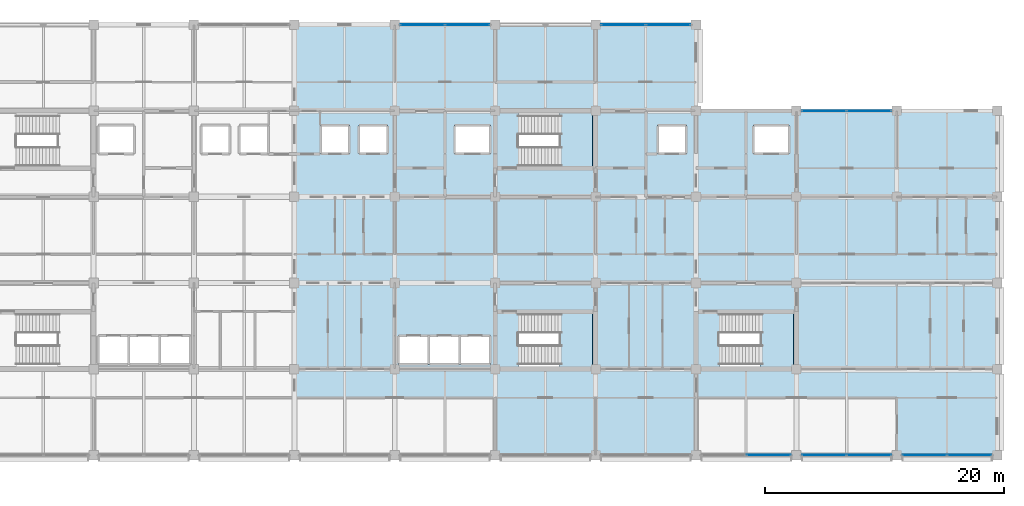
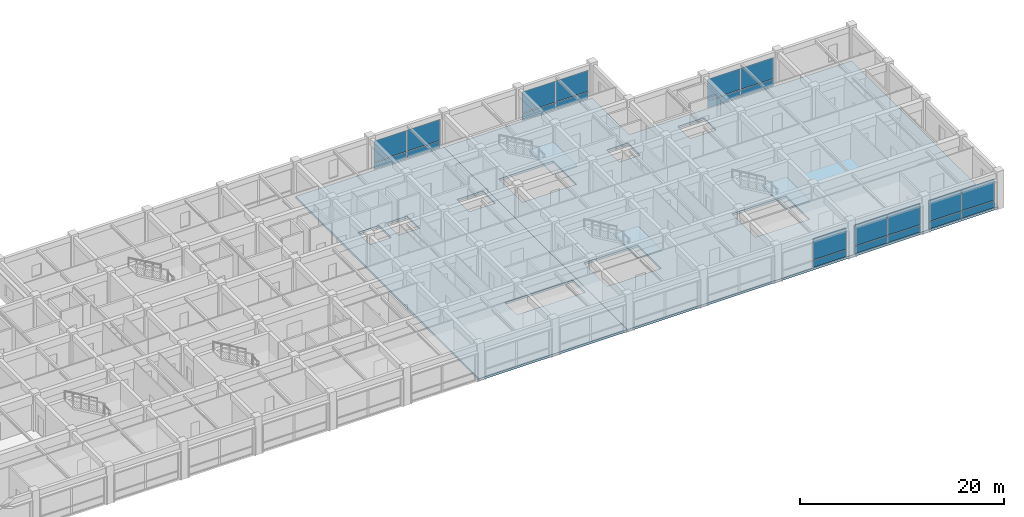
# One storey, part 11 of 30: 22 plates, 5 slabs, 9 elements without a shape of their own.
"""IFC4 building model written with IfcOpenShell, lengths in metres."""

from ifc_helpers import new_model, si_unit, direction, frame, origin, origin_2d, place, context, subcontext, project, spatial, polyline, rectangle, outline, extrude, material, layer, layer_set, type_object, element, aggregate, save


model = new_model("IFC4")

# Units and contexts
model_context = context("Model", 3, precision=1e-05, world=origin(), true_north=direction((0.0, 1.0)))
body_context = subcontext(model_context, "Body", "Model", "MODEL_VIEW")
ifc_project = project(units=[si_unit("LENGTHUNIT", "METRE"), si_unit("AREAUNIT", "SQUARE_METRE"), si_unit("VOLUMEUNIT", "CUBIC_METRE"), si_unit("PLANEANGLEUNIT", "RADIAN"), si_unit("MASSUNIT", "GRAM", prefix="KILO")], contexts=[model_context])

# Site, building, storey
site_placement = place(None, origin())
site = spatial("IfcSite", under=ifc_project, at=site_placement, CompositionType="ELEMENT")
building_placement = place(site_placement, origin())
building = spatial("IfcBuilding", under=site, at=building_placement, Name="Chengyuan Square Courthouse", CompositionType="ELEMENT")
storey_placement = place(building_placement, frame((0.0, 0.0, 26.10009765625)))
storey = spatial("IfcBuildingStorey", under=building, at=storey_placement, Name="L06", CompositionType="ELEMENT", Elevation=26.10009765625)

# Curtain wall, plates
ifc_material_1 = material(Name="Unitised Aluminium and Triple Low-E Glass", Category="aluminium")
ifc_layer_1 = layer(ifc_material_1, 0.219970703125)
ifc_layer_set_1 = layer_set([ifc_layer_1], Name="Unitised Aluminium and Triple Low-E Glass")
curtain_wall_type = type_object("IfcCurtainWallType", Name="CW-16", PredefinedType="USERDEFINED", material=ifc_layer_set_1)
curtain_wall_1_placement = place(storey_placement, origin())
curtain_wall_1 = element("IfcCurtainWall", 1, at=curtain_wall_1_placement, inside=storey, type_object=curtain_wall_type, Name="Unitised Curtain Wall CW-L06-193", ObjectType="UNITISED CURTAIN WALL", PredefinedType="USERDEFINED")
ifc_material_2 = material(Name="Triple Low-E Insulating Glass", Category="glass")
ifc_layer_2 = layer(ifc_material_2, 0.052001953125)
ifc_layer_set_2 = layer_set([ifc_layer_2], Name="Triple Low-E Insulating Glass")
plate_type = type_object("IfcPlateType", Name="CWP-04", PredefinedType="CURTAIN_PANEL", material=ifc_layer_set_2)
plate_1_placement = place(storey_placement, frame((94.719970703125, 115.199951171875, 0.079833984375), z_axis=(0.0, 0.0, 1.0), x_axis=(1.0, 0.0, 0.0)))
plate_1 = element("IfcPlate", 2, at=plate_1_placement, type_object=plate_type, Name="CW-16 panel 1.1", PredefinedType="CURTAIN_PANEL", context=body_context, shape_type="SweptSolid", body=[
    extrude(rectangle(XDim=3.679931640625, YDim=0.052001953125, at=origin_2d()), origin(), (0.0, 0.0, 1.0), 0.830078125),
])
plate_2_placement = place(storey_placement, frame((94.719970703125, 115.199951171875, 0.989990234375), z_axis=(0.0, 0.0, 1.0), x_axis=(1.0, 0.0, 0.0)))
plate_2 = element("IfcPlate", 3, at=plate_2_placement, type_object=plate_type, Name="CW-16 panel 1.2", PredefinedType="CURTAIN_PANEL", context=body_context, shape_type="SweptSolid", body=[
    extrude(rectangle(XDim=3.679931640625, YDim=0.052001953125, at=origin_2d()), origin(), (0.0, 0.0, 1.0), 2.52001953125),
])
plate_3_placement = place(storey_placement, frame((98.47998046875, 115.199951171875, 0.079833984375), z_axis=(0.0, 0.0, 1.0), x_axis=(1.0, 0.0, 0.0)))
plate_3 = element("IfcPlate", 4, at=plate_3_placement, type_object=plate_type, Name="CW-16 panel 2.1", PredefinedType="CURTAIN_PANEL", context=body_context, shape_type="SweptSolid", body=[
    extrude(rectangle(XDim=3.679931640625, YDim=0.052001953125, at=origin_2d()), origin(), (0.0, 0.0, 1.0), 0.830078125),
])
plate_4_placement = place(storey_placement, frame((98.47998046875, 115.199951171875, 0.989990234375), z_axis=(0.0, 0.0, 1.0), x_axis=(1.0, 0.0, 0.0)))
plate_4 = element("IfcPlate", 5, at=plate_4_placement, type_object=plate_type, Name="CW-16 panel 2.2", PredefinedType="CURTAIN_PANEL", context=body_context, shape_type="SweptSolid", body=[
    extrude(rectangle(XDim=3.679931640625, YDim=0.052001953125, at=origin_2d()), origin(), (0.0, 0.0, 1.0), 2.52001953125),
])
aggregate(curtain_wall_1, [plate_1, plate_2, plate_3, plate_4])

curtain_wall_2_placement = place(storey_placement, origin())
curtain_wall_2 = element("IfcCurtainWall", 6, at=curtain_wall_2_placement, inside=storey, type_object=curtain_wall_type, Name="Unitised Curtain Wall CW-L06-196", ObjectType="UNITISED CURTAIN WALL", PredefinedType="USERDEFINED")
plate_5_placement = place(storey_placement, frame((111.52001953125, 115.199951171875, 0.079833984375), z_axis=(0.0, 0.0, 1.0), x_axis=(1.0, 0.0, 0.0)))
plate_5 = element("IfcPlate", 7, at=plate_5_placement, type_object=plate_type, Name="CW-16 panel 1.1", PredefinedType="CURTAIN_PANEL", context=body_context, shape_type="SweptSolid", body=[
    extrude(rectangle(XDim=3.679931640625, YDim=0.052001953125, at=origin_2d()), origin(), (0.0, 0.0, 1.0), 0.830078125),
])
plate_6_placement = place(storey_placement, frame((111.52001953125, 115.199951171875, 0.989990234375), z_axis=(0.0, 0.0, 1.0), x_axis=(1.0, 0.0, 0.0)))
plate_6 = element("IfcPlate", 8, at=plate_6_placement, type_object=plate_type, Name="CW-16 panel 1.2", PredefinedType="CURTAIN_PANEL", context=body_context, shape_type="SweptSolid", body=[
    extrude(rectangle(XDim=3.679931640625, YDim=0.052001953125, at=origin_2d()), origin(), (0.0, 0.0, 1.0), 2.52001953125),
])
plate_7_placement = place(storey_placement, frame((115.280029296875, 115.199951171875, 0.079833984375), z_axis=(0.0, 0.0, 1.0), x_axis=(1.0, 0.0, 0.0)))
plate_7 = element("IfcPlate", 9, at=plate_7_placement, type_object=plate_type, Name="CW-16 panel 2.1", PredefinedType="CURTAIN_PANEL", context=body_context, shape_type="SweptSolid", body=[
    extrude(rectangle(XDim=3.679931640625, YDim=0.052001953125, at=origin_2d()), origin(), (0.0, 0.0, 1.0), 0.830078125),
])
plate_8_placement = place(storey_placement, frame((115.280029296875, 115.199951171875, 0.989990234375), z_axis=(0.0, 0.0, 1.0), x_axis=(1.0, 0.0, 0.0)))
plate_8 = element("IfcPlate", 10, at=plate_8_placement, type_object=plate_type, Name="CW-16 panel 2.2", PredefinedType="CURTAIN_PANEL", context=body_context, shape_type="SweptSolid", body=[
    extrude(rectangle(XDim=3.679931640625, YDim=0.052001953125, at=origin_2d()), origin(), (0.0, 0.0, 1.0), 2.52001953125),
])
aggregate(curtain_wall_2, [plate_5, plate_6, plate_7, plate_8])

curtain_wall_3_placement = place(storey_placement, origin())
curtain_wall_3 = element("IfcCurtainWall", 11, at=curtain_wall_3_placement, inside=storey, type_object=curtain_wall_type, Name="Unitised Curtain Wall CW-L06-197", ObjectType="UNITISED CURTAIN WALL", PredefinedType="USERDEFINED")
plate_9_placement = place(storey_placement, frame((123.679931640625, 79.199951171875, 0.079833984375), z_axis=(0.0, 0.0, 1.0), x_axis=(1.0, 0.0, 0.0)))
plate_9 = element("IfcPlate", 12, at=plate_9_placement, type_object=plate_type, Name="CW-16 panel 2.1", PredefinedType="CURTAIN_PANEL", context=body_context, shape_type="SweptSolid", body=[
    extrude(rectangle(XDim=3.679931640625, YDim=0.052001953125, at=origin_2d()), origin(), (0.0, 0.0, 1.0), 0.830078125),
])
plate_10_placement = place(storey_placement, frame((123.679931640625, 79.199951171875, 0.989990234375), z_axis=(0.0, 0.0, 1.0), x_axis=(1.0, 0.0, 0.0)))
plate_10 = element("IfcPlate", 13, at=plate_10_placement, type_object=plate_type, Name="CW-16 panel 2.2", PredefinedType="CURTAIN_PANEL", context=body_context, shape_type="SweptSolid", body=[
    extrude(rectangle(XDim=3.679931640625, YDim=0.052001953125, at=origin_2d()), origin(), (0.0, 0.0, 1.0), 2.52001953125),
])
aggregate(curtain_wall_3, [plate_9, plate_10])

curtain_wall_4_placement = place(storey_placement, origin())
curtain_wall_4 = element("IfcCurtainWall", 14, at=curtain_wall_4_placement, inside=storey, type_object=curtain_wall_type, Name="Unitised Curtain Wall CW-L06-198", ObjectType="UNITISED CURTAIN WALL", PredefinedType="USERDEFINED")
plate_11_placement = place(storey_placement, frame((128.320068359375, 79.199951171875, 0.079833984375), z_axis=(0.0, 0.0, 1.0), x_axis=(1.0, 0.0, 0.0)))
plate_11 = element("IfcPlate", 15, at=plate_11_placement, type_object=plate_type, Name="CW-16 panel 1.1", PredefinedType="CURTAIN_PANEL", context=body_context, shape_type="SweptSolid", body=[
    extrude(rectangle(XDim=3.679931640625, YDim=0.052001953125, at=origin_2d()), origin(), (0.0, 0.0, 1.0), 0.830078125),
])
plate_12_placement = place(storey_placement, frame((128.320068359375, 79.199951171875, 0.989990234375), z_axis=(0.0, 0.0, 1.0), x_axis=(1.0, 0.0, 0.0)))
plate_12 = element("IfcPlate", 16, at=plate_12_placement, type_object=plate_type, Name="CW-16 panel 1.2", PredefinedType="CURTAIN_PANEL", context=body_context, shape_type="SweptSolid", body=[
    extrude(rectangle(XDim=3.679931640625, YDim=0.052001953125, at=origin_2d()), origin(), (0.0, 0.0, 1.0), 2.52001953125),
])
plate_13_placement = place(storey_placement, frame((132.080078125, 79.199951171875, 0.079833984375), z_axis=(0.0, 0.0, 1.0), x_axis=(1.0, 0.0, 0.0)))
plate_13 = element("IfcPlate", 17, at=plate_13_placement, type_object=plate_type, Name="CW-16 panel 2.1", PredefinedType="CURTAIN_PANEL", context=body_context, shape_type="SweptSolid", body=[
    extrude(rectangle(XDim=3.679931640625, YDim=0.052001953125, at=origin_2d()), origin(), (0.0, 0.0, 1.0), 0.830078125),
])
plate_14_placement = place(storey_placement, frame((132.080078125, 79.199951171875, 0.989990234375), z_axis=(0.0, 0.0, 1.0), x_axis=(1.0, 0.0, 0.0)))
plate_14 = element("IfcPlate", 18, at=plate_14_placement, type_object=plate_type, Name="CW-16 panel 2.2", PredefinedType="CURTAIN_PANEL", context=body_context, shape_type="SweptSolid", body=[
    extrude(rectangle(XDim=3.679931640625, YDim=0.052001953125, at=origin_2d()), origin(), (0.0, 0.0, 1.0), 2.52001953125),
])
aggregate(curtain_wall_4, [plate_11, plate_12, plate_13, plate_14])

curtain_wall_5_placement = place(storey_placement, origin())
curtain_wall_5 = element("IfcCurtainWall", 19, at=curtain_wall_5_placement, inside=storey, type_object=curtain_wall_type, Name="Unitised Curtain Wall CW-L06-199", ObjectType="UNITISED CURTAIN WALL", PredefinedType="USERDEFINED")
plate_15_placement = place(storey_placement, frame((128.320068359375, 108.0, 0.079833984375), z_axis=(0.0, 0.0, 1.0), x_axis=(1.0, 0.0, 0.0)))
plate_15 = element("IfcPlate", 20, at=plate_15_placement, type_object=plate_type, Name="CW-16 panel 1.1", PredefinedType="CURTAIN_PANEL", context=body_context, shape_type="SweptSolid", body=[
    extrude(rectangle(XDim=3.679931640625, YDim=0.052001953125, at=origin_2d()), origin(), (0.0, 0.0, 1.0), 0.830078125),
])
plate_16_placement = place(storey_placement, frame((128.320068359375, 108.0, 0.989990234375), z_axis=(0.0, 0.0, 1.0), x_axis=(1.0, 0.0, 0.0)))
plate_16 = element("IfcPlate", 21, at=plate_16_placement, type_object=plate_type, Name="CW-16 panel 1.2", PredefinedType="CURTAIN_PANEL", context=body_context, shape_type="SweptSolid", body=[
    extrude(rectangle(XDim=3.679931640625, YDim=0.052001953125, at=origin_2d()), origin(), (0.0, 0.0, 1.0), 2.52001953125),
])
plate_17_placement = place(storey_placement, frame((132.080078125, 108.0, 0.079833984375), z_axis=(0.0, 0.0, 1.0), x_axis=(1.0, 0.0, 0.0)))
plate_17 = element("IfcPlate", 22, at=plate_17_placement, type_object=plate_type, Name="CW-16 panel 2.1", PredefinedType="CURTAIN_PANEL", context=body_context, shape_type="SweptSolid", body=[
    extrude(rectangle(XDim=3.679931640625, YDim=0.052001953125, at=origin_2d()), origin(), (0.0, 0.0, 1.0), 0.830078125),
])
plate_18_placement = place(storey_placement, frame((132.080078125, 108.0, 0.989990234375), z_axis=(0.0, 0.0, 1.0), x_axis=(1.0, 0.0, 0.0)))
plate_18 = element("IfcPlate", 23, at=plate_18_placement, type_object=plate_type, Name="CW-16 panel 2.2", PredefinedType="CURTAIN_PANEL", context=body_context, shape_type="SweptSolid", body=[
    extrude(rectangle(XDim=3.679931640625, YDim=0.052001953125, at=origin_2d()), origin(), (0.0, 0.0, 1.0), 2.52001953125),
])
aggregate(curtain_wall_5, [plate_15, plate_16, plate_17, plate_18])

curtain_wall_6_placement = place(storey_placement, origin())
curtain_wall_6 = element("IfcCurtainWall", 24, at=curtain_wall_6_placement, inside=storey, type_object=curtain_wall_type, Name="Unitised Curtain Wall CW-L06-200", ObjectType="UNITISED CURTAIN WALL", PredefinedType="USERDEFINED")
plate_19_placement = place(storey_placement, frame((136.719970703125, 79.199951171875, 0.079833984375), z_axis=(0.0, 0.0, 1.0), x_axis=(1.0, 0.0, 0.0)))
plate_19 = element("IfcPlate", 25, at=plate_19_placement, type_object=plate_type, Name="CW-16 panel 1.1", PredefinedType="CURTAIN_PANEL", context=body_context, shape_type="SweptSolid", body=[
    extrude(rectangle(XDim=3.679931640625, YDim=0.052001953125, at=origin_2d()), origin(), (0.0, 0.0, 1.0), 0.830078125),
])
plate_20_placement = place(storey_placement, frame((136.719970703125, 79.199951171875, 0.989990234375), z_axis=(0.0, 0.0, 1.0), x_axis=(1.0, 0.0, 0.0)))
plate_20 = element("IfcPlate", 26, at=plate_20_placement, type_object=plate_type, Name="CW-16 panel 1.2", PredefinedType="CURTAIN_PANEL", context=body_context, shape_type="SweptSolid", body=[
    extrude(rectangle(XDim=3.679931640625, YDim=0.052001953125, at=origin_2d()), origin(), (0.0, 0.0, 1.0), 2.52001953125),
])
plate_21_placement = place(storey_placement, frame((140.47998046875, 79.199951171875, 0.079833984375), z_axis=(0.0, 0.0, 1.0), x_axis=(1.0, 0.0, 0.0)))
plate_21 = element("IfcPlate", 27, at=plate_21_placement, type_object=plate_type, Name="CW-16 panel 2.1", PredefinedType="CURTAIN_PANEL", context=body_context, shape_type="SweptSolid", body=[
    extrude(rectangle(XDim=3.679931640625, YDim=0.052001953125, at=origin_2d()), origin(), (0.0, 0.0, 1.0), 0.830078125),
])
plate_22_placement = place(storey_placement, frame((140.47998046875, 79.199951171875, 0.989990234375), z_axis=(0.0, 0.0, 1.0), x_axis=(1.0, 0.0, 0.0)))
plate_22 = element("IfcPlate", 28, at=plate_22_placement, type_object=plate_type, Name="CW-16 panel 2.2", PredefinedType="CURTAIN_PANEL", context=body_context, shape_type="SweptSolid", body=[
    extrude(rectangle(XDim=3.679931640625, YDim=0.052001953125, at=origin_2d()), origin(), (0.0, 0.0, 1.0), 2.52001953125),
])
aggregate(curtain_wall_6, [plate_19, plate_20, plate_21, plate_22])

# Stair, slab
ifc_material_3 = material(Name="Concrete C40", Category="concrete")
stair_type_1 = type_object("IfcStairType", Name="ST-TYPE-02", PredefinedType="HALF_TURN_STAIR", material=ifc_material_3)
stair_1_placement = place(storey_placement, origin())
stair_1 = element("IfcStair", 29, at=stair_1_placement, inside=storey, type_object=stair_type_1, Name="Smoke-Proof Exit Stair ST-2 (L06 to L07)", PredefinedType="HALF_TURN_STAIR")
ifc_layer_3 = layer(ifc_material_3, 0.179931640625)
ifc_layer_set_3 = layer_set([ifc_layer_3], Name="Concrete C40")
slab_type_1 = type_object("IfcSlabType", Name="SL-LND2", PredefinedType="LANDING", material=ifc_layer_set_3)
slab_1_placement = place(storey_placement, frame((0.0, 0.0, 2.06982421875)))
slab_1 = element("IfcSlab", 30, at=slab_1_placement, type_object=slab_type_1, Name="ST-2 landing 1", PredefinedType="LANDING", context=body_context, shape_type="SweptSolid", body=[
    extrude(outline(polyline([(106.169921875, 103.159912109375), (108.93994140625, 103.159912109375), (108.93994140625, 107.840087890625), (106.169921875, 107.840087890625), (106.169921875, 103.159912109375)])), origin(), (0.0, 0.0, 1.0), 0.18017578125),
])
aggregate(stair_1, [slab_1])

stair_type_2 = type_object("IfcStairType", Name="ST-TYPE-04", PredefinedType="HALF_TURN_STAIR", material=ifc_material_3)
stair_2_placement = place(storey_placement, origin())
stair_2 = element("IfcStair", 31, at=stair_2_placement, inside=storey, type_object=stair_type_2, Name="Smoke-Proof Exit Stair ST-4 (L06 to L07)", PredefinedType="HALF_TURN_STAIR")
slab_2_placement = place(storey_placement, frame((0.0, 0.0, 2.06982421875)))
slab_2 = element("IfcSlab", 32, at=slab_2_placement, type_object=slab_type_1, Name="ST-4 landing 1", PredefinedType="LANDING", context=body_context, shape_type="SweptSolid", body=[
    extrude(outline(polyline([(106.169921875, 86.56005859375), (108.93994140625, 86.56005859375), (108.93994140625, 91.239990234375), (106.169921875, 91.239990234375), (106.169921875, 86.56005859375)])), origin(), (0.0, 0.0, 1.0), 0.18017578125),
])
aggregate(stair_2, [slab_2])

stair_type_3 = type_object("IfcStairType", Name="ST-TYPE-06", PredefinedType="HALF_TURN_STAIR", material=ifc_material_3)
stair_3_placement = place(storey_placement, origin())
stair_3 = element("IfcStair", 33, at=stair_3_placement, inside=storey, type_object=stair_type_3, Name="Smoke-Proof Exit Stair ST-6 (L06 to L07)", PredefinedType="HALF_TURN_STAIR")
slab_3_placement = place(storey_placement, frame((0.0, 0.0, 2.06982421875)))
slab_3 = element("IfcSlab", 34, at=slab_3_placement, type_object=slab_type_1, Name="ST-6 landing 1", PredefinedType="LANDING", context=body_context, shape_type="SweptSolid", body=[
    extrude(outline(polyline([(122.969970703125, 86.56005859375), (125.739990234375, 86.56005859375), (125.739990234375, 91.239990234375), (122.969970703125, 91.239990234375), (122.969970703125, 86.56005859375)])), origin(), (0.0, 0.0, 1.0), 0.18017578125),
])
aggregate(stair_3, [slab_3])

# Slabs
ifc_material_4 = material(Name="Post-tensioned Concrete C50", Category="concrete")
ifc_layer_4 = layer(ifc_material_4, 0.260009765625)
ifc_layer_set_4 = layer_set([ifc_layer_4], Name="Post-tensioned Concrete C50")
slab_type_2 = type_object("IfcSlabType", Name="SL-PT26", PredefinedType="FLOOR", material=ifc_layer_set_4)
slab_4_placement = place(storey_placement, frame((0.0, 0.0, -0.260009765625)))
element("IfcSlab", 35, at=slab_4_placement, inside=storey, type_object=slab_type_2, Name="Suspended Floor Slab SL-L06-03", PredefinedType="FLOOR", context=body_context, shape_type="SweptSolid", body=[
    extrude(outline(polyline([(92.39990234375, 115.199951171875), (100.800048828125, 115.199951171875), (100.800048828125, 79.199951171875), (92.39990234375, 79.199951171875), (84.0, 79.199951171875), (84.0, 115.199951171875), (92.39990234375, 115.199951171875)]), holes=[polyline([(92.699951171875, 89.199951171875), (92.699951171875, 86.800048828125), (95.25, 86.800048828125), (97.85009765625, 86.800048828125), (100.39990234375, 86.800048828125), (100.39990234375, 89.199951171875), (97.85009765625, 89.199951171875), (95.25, 89.199951171875), (92.699951171875, 89.199951171875)]), polyline([(88.60009765625, 106.800048828125), (86.199951171875, 106.800048828125), (86.199951171875, 104.39990234375), (88.60009765625, 104.39990234375), (88.60009765625, 106.800048828125)]), polyline([(91.800048828125, 106.800048828125), (89.39990234375, 106.800048828125), (89.39990234375, 104.39990234375), (91.800048828125, 104.39990234375), (91.800048828125, 106.800048828125)]), polyline([(97.39990234375, 106.800048828125), (97.39990234375, 104.39990234375), (100.39990234375, 104.39990234375), (100.39990234375, 106.800048828125), (97.39990234375, 106.800048828125)])]), origin(), (0.0, 0.0, 1.0), 0.260009765625),
])
slab_5_placement = place(storey_placement, frame((0.0, 0.0, -0.260009765625)))
element("IfcSlab", 36, at=slab_5_placement, inside=storey, type_object=slab_type_2, Name="Suspended Floor Slab SL-L06-04", PredefinedType="FLOOR", context=body_context, shape_type="SweptSolid", body=[
    extrude(outline(polyline([(109.199951171875, 115.199951171875), (117.60009765625, 115.199951171875), (117.60009765625, 108.0), (126.0, 108.0), (134.39990234375, 108.0), (142.800048828125, 108.0), (142.800048828125, 100.800048828125), (142.800048828125, 93.60009765625), (142.800048828125, 86.39990234375), (142.800048828125, 79.199951171875), (134.39990234375, 79.199951171875), (126.0, 79.199951171875), (117.60009765625, 79.199951171875), (109.199951171875, 79.199951171875), (100.800048828125, 79.199951171875), (100.800048828125, 115.199951171875), (109.199951171875, 115.199951171875)]), holes=[polyline([(108.89990234375, 91.199951171875), (102.75, 91.199951171875), (102.75, 86.60009765625), (108.89990234375, 86.60009765625), (108.89990234375, 91.199951171875)]), polyline([(125.699951171875, 91.199951171875), (119.550048828125, 91.199951171875), (119.550048828125, 86.60009765625), (125.699951171875, 86.60009765625), (125.699951171875, 91.199951171875)]), polyline([(102.75, 107.800048828125), (102.75, 103.199951171875), (108.89990234375, 103.199951171875), (108.89990234375, 107.800048828125), (102.75, 107.800048828125)]), polyline([(116.800048828125, 106.800048828125), (114.39990234375, 106.800048828125), (114.39990234375, 104.39990234375), (116.800048828125, 104.39990234375), (116.800048828125, 106.800048828125)]), polyline([(125.39990234375, 106.800048828125), (122.39990234375, 106.800048828125), (122.39990234375, 104.39990234375), (125.39990234375, 104.39990234375), (125.39990234375, 106.800048828125)])]), origin(), (0.0, 0.0, 1.0), 0.260009765625),
])

save(model, "model.ifc")
